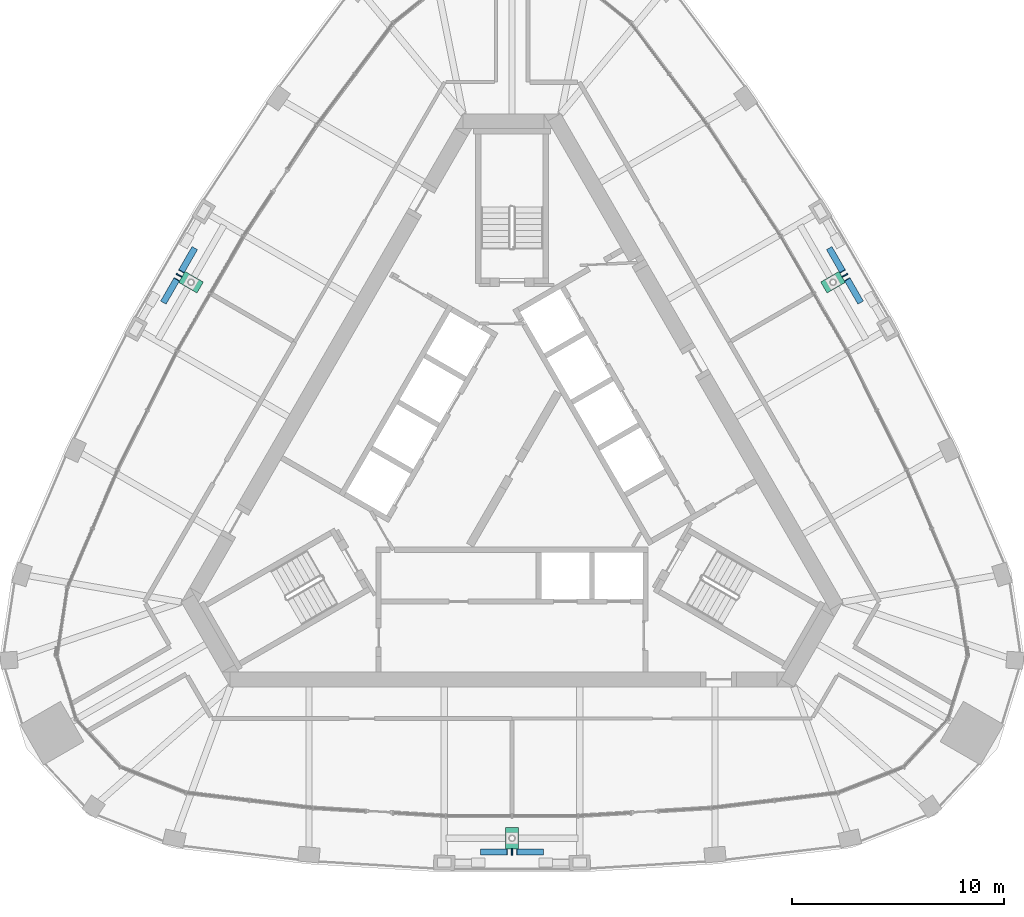
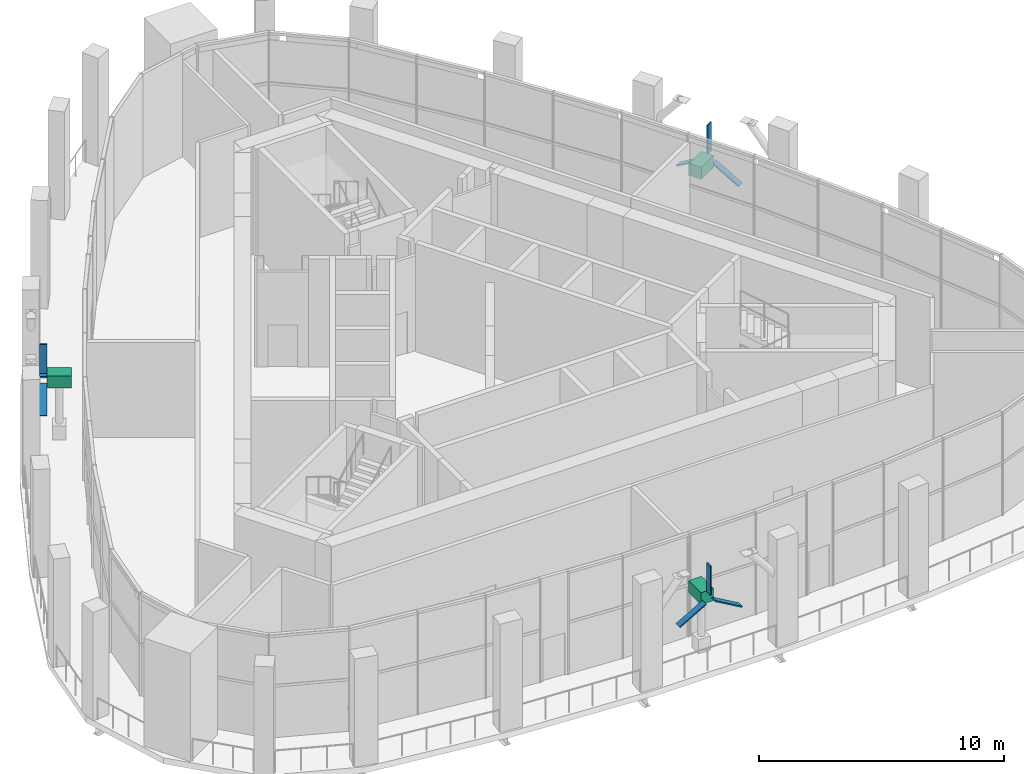
# One storey, part 23 of 23: 9 building element parts, 3 electric generators.
"""IFC4 building model written with IfcOpenShell, lengths in metres."""

from ifc_helpers import new_model, si_unit, direction, frame, origin, origin_2d, place, context, subcontext, project, spatial, rectangle, extrude, material, type_object, element, aggregate, save


model = new_model("IFC4")

# Units and contexts
model_context = context("Model", 3, precision=1e-05, world=origin(), true_north=direction((0.0, 1.0)))
body_context = subcontext(model_context, "Body", "Model", "MODEL_VIEW")
ifc_project = project(units=[si_unit("LENGTHUNIT", "METRE"), si_unit("AREAUNIT", "SQUARE_METRE"), si_unit("VOLUMEUNIT", "CUBIC_METRE"), si_unit("PLANEANGLEUNIT", "RADIAN"), si_unit("MASSUNIT", "GRAM", prefix="KILO")], contexts=[model_context])

# Site, building, storey
site_placement = place(None, origin())
site = spatial("IfcSite", under=ifc_project, at=site_placement, CompositionType="ELEMENT")
building_placement = place(site_placement, origin())
building = spatial("IfcBuilding", under=site, at=building_placement, Name="Mestral Congress Tower", CompositionType="ELEMENT")
storey_placement = place(building_placement, frame((0.0, 0.0, 261.60009765625)))
storey = spatial("IfcBuildingStorey", under=building, at=storey_placement, Name="L61", CompositionType="ELEMENT", Elevation=261.60009765625)

# Electric generator
ifc_material = material(Name="Steel S355", Category="steel")
electric_generator_type = type_object("IfcElectricGeneratorType", Name="Slot wind turbine generator 600 x 1000", PredefinedType="STANDALONE", material=ifc_material)
electric_generator_1_placement = place(storey_placement, frame((0.0, -17.5029296875, 2.599853515625), z_axis=(0.0, 0.0, 1.0), x_axis=(1.0, 0.0, 0.0)))
electric_generator_1 = element("IfcElectricGenerator", 1, at=electric_generator_1_placement, inside=storey, type_object=electric_generator_type, Name="Wind turbine 1 generator", PredefinedType="STANDALONE", context=body_context, shape_type="SweptSolid", body=[
    extrude(rectangle(XDim=0.60009765625, YDim=1.0, at=origin_2d()), origin(), (0.0, 0.0, 1.0), 0.60009765625),
])

electric_generator_2_placement = place(storey_placement, frame((15.157958984375, 8.75146484375, 2.599853515625), z_axis=(0.0, 0.0, 1.0), x_axis=(-0.5, 0.866025403784, 0.0)))
electric_generator_2 = element("IfcElectricGenerator", 2, at=electric_generator_2_placement, inside=storey, type_object=electric_generator_type, Name="Wind turbine 2 generator", PredefinedType="STANDALONE", context=body_context, shape_type="SweptSolid", body=[
    extrude(rectangle(XDim=0.60009765625, YDim=1.0, at=origin_2d()), origin(), (0.0, 0.0, 1.0), 0.60009765625),
])

electric_generator_3_placement = place(storey_placement, frame((-15.157958984375, 8.75146484375, 2.599853515625), z_axis=(0.0, 0.0, 1.0), x_axis=(-0.5, -0.866025403784, 0.0)))
electric_generator_3 = element("IfcElectricGenerator", 3, at=electric_generator_3_placement, inside=storey, type_object=electric_generator_type, Name="Wind turbine 3 generator", PredefinedType="STANDALONE", context=body_context, shape_type="SweptSolid", body=[
    extrude(rectangle(XDim=0.60009765625, YDim=1.0, at=origin_2d()), origin(), (0.0, 0.0, 1.0), 0.60009765625),
])

# Building element part
building_element_part_1_placement = place(storey_placement, frame((0.0, -18.153076171875, 3.14990234375), z_axis=(0.0, 0.0, 1.0), x_axis=(0.0, -1.0, 0.0)))
building_element_part_1 = element("IfcBuildingElementPart", 4, at=building_element_part_1_placement, Name="Turbine 1 blade 1", ObjectType="TURBINE BLADE", PredefinedType="USERDEFINED", context=body_context, shape_type="SweptSolid", body=[
    extrude(rectangle(XDim=0.300048828125, YDim=0.06005859375, at=origin_2d()), origin(), (0.0, 0.0, 1.0), 1.449951171875),
])

building_element_part_2_placement = place(storey_placement, frame((-0.216552734375, -18.153076171875, 2.77490234375), z_axis=(-0.865975268738, 0.0, -0.500086826395), x_axis=(0.0, -1.0, 0.0)))
building_element_part_2 = element("IfcBuildingElementPart", 5, at=building_element_part_2_placement, Name="Turbine 1 blade 2", ObjectType="TURBINE BLADE", PredefinedType="USERDEFINED", context=body_context, shape_type="SweptSolid", body=[
    extrude(rectangle(XDim=0.300048828125, YDim=0.06005859375, at=origin_2d()), origin(), (0.0, 0.0, 1.0), 1.449951171875),
])

building_element_part_3_placement = place(storey_placement, frame((0.216552734375, -18.153076171875, 2.77490234375), z_axis=(0.865975268738, 0.0, -0.500086826395), x_axis=(0.0, 1.0, 0.0)))
building_element_part_3 = element("IfcBuildingElementPart", 6, at=building_element_part_3_placement, Name="Turbine 1 blade 3", ObjectType="TURBINE BLADE", PredefinedType="USERDEFINED", context=body_context, shape_type="SweptSolid", body=[
    extrude(rectangle(XDim=0.300048828125, YDim=0.06005859375, at=origin_2d()), origin(), (0.0, 0.0, 1.0), 1.449951171875),
])

aggregate(electric_generator_1, [building_element_part_1, building_element_part_2, building_element_part_3])

building_element_part_4_placement = place(storey_placement, frame((15.720947265625, 9.076416015625, 3.14990234375), z_axis=(0.0, 0.0, 1.0), x_axis=(0.866025403784, 0.5, 0.0)))
building_element_part_4 = element("IfcBuildingElementPart", 7, at=building_element_part_4_placement, Name="Turbine 2 blade 1", ObjectType="TURBINE BLADE", PredefinedType="USERDEFINED", context=body_context, shape_type="SweptSolid", body=[
    extrude(rectangle(XDim=0.300048828125, YDim=0.06005859375, at=origin_2d()), origin(), (0.0, 0.0, 1.0), 1.449951171875),
])

building_element_part_5_placement = place(storey_placement, frame((15.8291015625, 8.888916015625, 2.77490234375), z_axis=(0.43305432243, -0.74993155214, -0.500066616492), x_axis=(0.865984829667, 0.500070269848, 0.0)))
building_element_part_5 = element("IfcBuildingElementPart", 8, at=building_element_part_5_placement, Name="Turbine 2 blade 2", ObjectType="TURBINE BLADE", PredefinedType="USERDEFINED", context=body_context, shape_type="SweptSolid", body=[
    extrude(rectangle(XDim=0.300048828125, YDim=0.06005859375, at=origin_2d()), origin(), (0.0, 0.0, 1.0), 1.449951171875),
])

building_element_part_6_placement = place(storey_placement, frame((15.61279296875, 9.263916015625, 2.77490234375), z_axis=(-0.432999645778, 0.750005218485, -0.50000347899), x_axis=(-0.866033438195, -0.499986083735, 0.0)))
building_element_part_6 = element("IfcBuildingElementPart", 9, at=building_element_part_6_placement, Name="Turbine 2 blade 3", ObjectType="TURBINE BLADE", PredefinedType="USERDEFINED", context=body_context, shape_type="SweptSolid", body=[
    extrude(rectangle(XDim=0.300048828125, YDim=0.06005859375, at=origin_2d()), origin(), (0.0, 0.0, 1.0), 1.4501953125),
])

aggregate(electric_generator_2, [building_element_part_4, building_element_part_5, building_element_part_6])

building_element_part_7_placement = place(storey_placement, frame((-15.720947265625, 9.076416015625, 3.14990234375), z_axis=(0.0, 0.0, 1.0), x_axis=(-0.866025403784, 0.5, 0.0)))
building_element_part_7 = element("IfcBuildingElementPart", 10, at=building_element_part_7_placement, Name="Turbine 3 blade 1", ObjectType="TURBINE BLADE", PredefinedType="USERDEFINED", context=body_context, shape_type="SweptSolid", body=[
    extrude(rectangle(XDim=0.300048828125, YDim=0.06005859375, at=origin_2d()), origin(), (0.0, 0.0, 1.0), 1.449951171875),
])

building_element_part_8_placement = place(storey_placement, frame((-15.61279296875, 9.263916015625, 2.77490234375), z_axis=(0.432999645778, 0.750005218485, -0.50000347899), x_axis=(-0.866033438195, 0.499986083735, 0.0)))
building_element_part_8 = element("IfcBuildingElementPart", 11, at=building_element_part_8_placement, Name="Turbine 3 blade 2", ObjectType="TURBINE BLADE", PredefinedType="USERDEFINED", context=body_context, shape_type="SweptSolid", body=[
    extrude(rectangle(XDim=0.300048828125, YDim=0.06005859375, at=origin_2d()), origin(), (0.0, 0.0, 1.0), 1.4501953125),
])

building_element_part_9_placement = place(storey_placement, frame((-15.8291015625, 8.888916015625, 2.77490234375), z_axis=(-0.43305432243, -0.74993155214, -0.500066616492), x_axis=(0.865984829667, -0.500070269848, 0.0)))
building_element_part_9 = element("IfcBuildingElementPart", 12, at=building_element_part_9_placement, Name="Turbine 3 blade 3", ObjectType="TURBINE BLADE", PredefinedType="USERDEFINED", context=body_context, shape_type="SweptSolid", body=[
    extrude(rectangle(XDim=0.300048828125, YDim=0.06005859375, at=origin_2d()), origin(), (0.0, 0.0, 1.0), 1.449951171875),
])

aggregate(electric_generator_3, [building_element_part_7, building_element_part_8, building_element_part_9])

save(model, "model.ifc")
